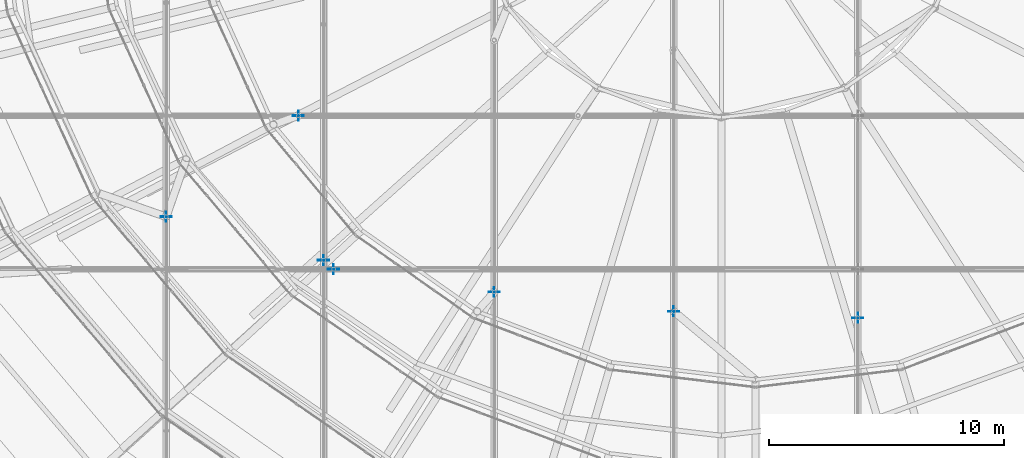
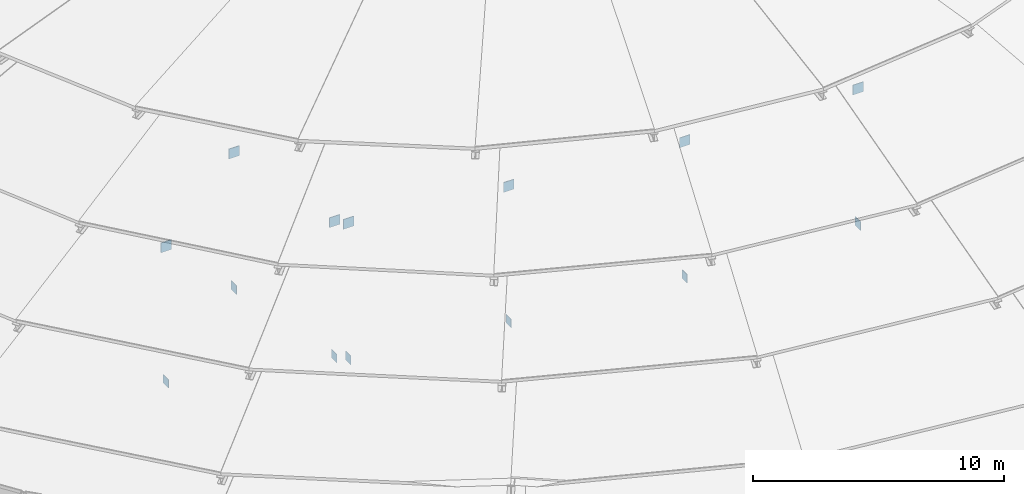
# One storey, part 161 of 173: 14 plates.
"""IFC4 building model written with IfcOpenShell, lengths in metres."""

from ifc_helpers import new_model, si_unit, direction, frame, origin, origin_2d, place, context, subcontext, project, spatial, rectangle, extrude, material, layer, layer_set, type_object, element, save


model = new_model("IFC4")

# Units and contexts
model_context = context("Model", 3, precision=1e-05, world=origin(), true_north=direction((0.0, 1.0)))
body_context = subcontext(model_context, "Body", "Model", "MODEL_VIEW")
ifc_project = project(units=[si_unit("LENGTHUNIT", "METRE"), si_unit("AREAUNIT", "SQUARE_METRE"), si_unit("VOLUMEUNIT", "CUBIC_METRE"), si_unit("PLANEANGLEUNIT", "RADIAN"), si_unit("MASSUNIT", "GRAM", prefix="KILO")], contexts=[model_context])

# Site, building, storey
site_placement = place(None, origin())
site = spatial("IfcSite", under=ifc_project, at=site_placement, CompositionType="ELEMENT")
building_placement = place(site_placement, origin())
building = spatial("IfcBuilding", under=site, at=building_placement, Name="Glasvene Arena", CompositionType="ELEMENT")
storey_placement = place(building_placement, frame((0.0, 0.0, 28.800048828125)))
storey = spatial("IfcBuildingStorey", under=building, at=storey_placement, Name="RF", CompositionType="ELEMENT", Elevation=28.800048828125)

# Plates
ifc_material = material(Name="Steel S355J2", Category="steel")
ifc_layer_1 = layer(ifc_material, 0.031982421875)
ifc_layer_set_1 = layer_set([ifc_layer_1], Name="Steel S355J2")
plate_type_1 = type_object("IfcPlateType", Name="PL-GUSSET-32", PredefinedType="USERDEFINED", material=ifc_layer_set_1)
for number, where, z_axis, x_axis, name in (
    (1, (92.0, 50.5, 4.23291015625), (0.0, 0.0, 1.0), (1.0, 0.0, 0.0), "Cable-node clamp gusset plate CG-NS05-02"),
    (2, (84.17822265625, 50.777099609375, 4.23291015625), (0.0, 0.0, 1.0), (1.0, 0.0, 0.0), "Cable-node clamp gusset plate CG-NS06-02"),
    (3, (76.54931640625, 51.601318359375, 4.23291015625), (0.0, 0.0, 1.0), (1.0, 0.0, 0.0), "Cable-node clamp gusset plate CG-NS07-02"),
    (4, (69.300537109375, 52.952392578125, 4.23291015625), (0.0, 0.0, 1.0), (1.0, 0.0, 0.0), "Cable-node clamp gusset plate CG-NS08-02"),
    (5, (62.610595703125, 54.797119140625, 4.23291015625), (0.0, 0.0, 1.0), (1.0, 0.0, 0.0), "Cable-node clamp gusset plate CG-NS09-02"),
    (6, (69.724853515625, 52.5703125, 4.23291015625), (0.0, 0.0, 1.0), (1.0, 0.0, 0.0), "Cable-node clamp gusset plate CG-EW01-02"),
    (7, (68.2236328125, 59.09423828125, 4.23291015625), (0.0, 0.0, 1.0), (1.0, 0.0, 0.0), "Cable-node clamp gusset plate CG-EW02-02"),
):
    element("IfcPlate", number, at=place(storey_placement, frame(where, z_axis=z_axis, x_axis=x_axis)), inside=storey, type_object=plate_type_1, Name=name, ObjectType="GUSSET PLATE", PredefinedType="USERDEFINED", context=body_context, shape_type="SweptSolid", body=[
        extrude(rectangle(XDim=0.47998046875, YDim=0.031982421875, at=origin_2d()), origin(), (0.0, 0.0, 1.0), 0.47998046875),
    ])
ifc_layer_2 = layer(ifc_material, 0.02001953125)
ifc_layer_set_2 = layer_set([ifc_layer_2], Name="Steel S355J2")
plate_type_2 = type_object("IfcPlateType", Name="PL-STIFF-20", PredefinedType="USERDEFINED", material=ifc_layer_set_2)
for number, where, z_axis, x_axis, name in (
    (8, (92.0, 50.5, -2.322509765625), (0.0, 0.0, 1.0), (1.0, 0.0, 0.0), "Lower cable clamp stiffener plate CS-NS05-02"),
    (9, (84.17822265625, 50.777099609375, -2.322509765625), (0.0, 0.0, 1.0), (1.0, 0.0, 0.0), "Lower cable clamp stiffener plate CS-NS06-02"),
    (10, (76.54931640625, 51.601318359375, -2.322509765625), (0.0, 0.0, 1.0), (1.0, 0.0, 0.0), "Lower cable clamp stiffener plate CS-NS07-02"),
    (11, (69.300537109375, 52.952392578125, -2.322509765625), (0.0, 0.0, 1.0), (1.0, 0.0, 0.0), "Lower cable clamp stiffener plate CS-NS08-02"),
    (12, (62.610595703125, 54.797119140625, -2.322509765625), (0.0, 0.0, 1.0), (1.0, 0.0, 0.0), "Lower cable clamp stiffener plate CS-NS09-02"),
    (13, (69.724853515625, 52.5703125, -2.322509765625), (0.0, 0.0, 1.0), (1.0, 0.0, 0.0), "Lower cable clamp stiffener plate CS-EW01-02"),
    (14, (68.2236328125, 59.09423828125, -2.322509765625), (0.0, 0.0, 1.0), (1.0, 0.0, 0.0), "Lower cable clamp stiffener plate CS-EW02-02"),
):
    element("IfcPlate", number, at=place(storey_placement, frame(where, z_axis=z_axis, x_axis=x_axis)), inside=storey, type_object=plate_type_2, Name=name, ObjectType="GUSSET PLATE", PredefinedType="USERDEFINED", context=body_context, shape_type="SweptSolid", body=[
        extrude(rectangle(XDim=0.02001953125, YDim=0.419921875, at=origin_2d()), origin(), (0.0, 0.0, 1.0), 0.419921875),
    ])

save(model, "model.ifc")
